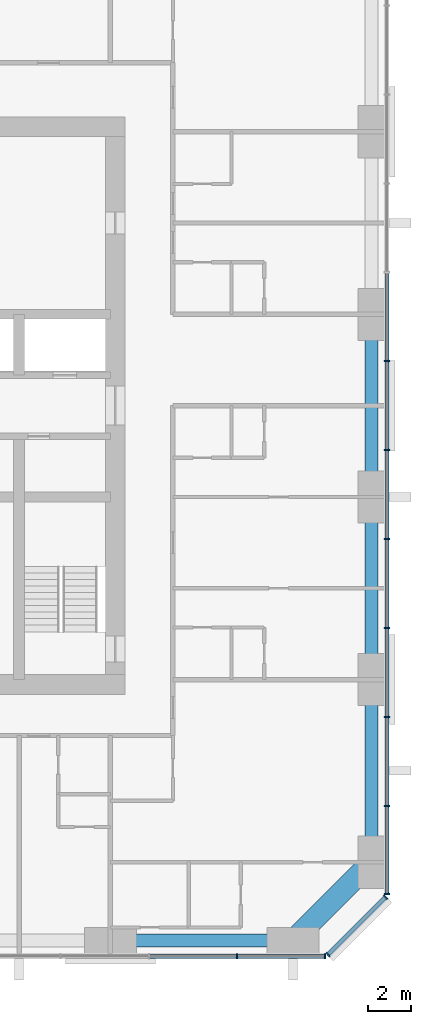
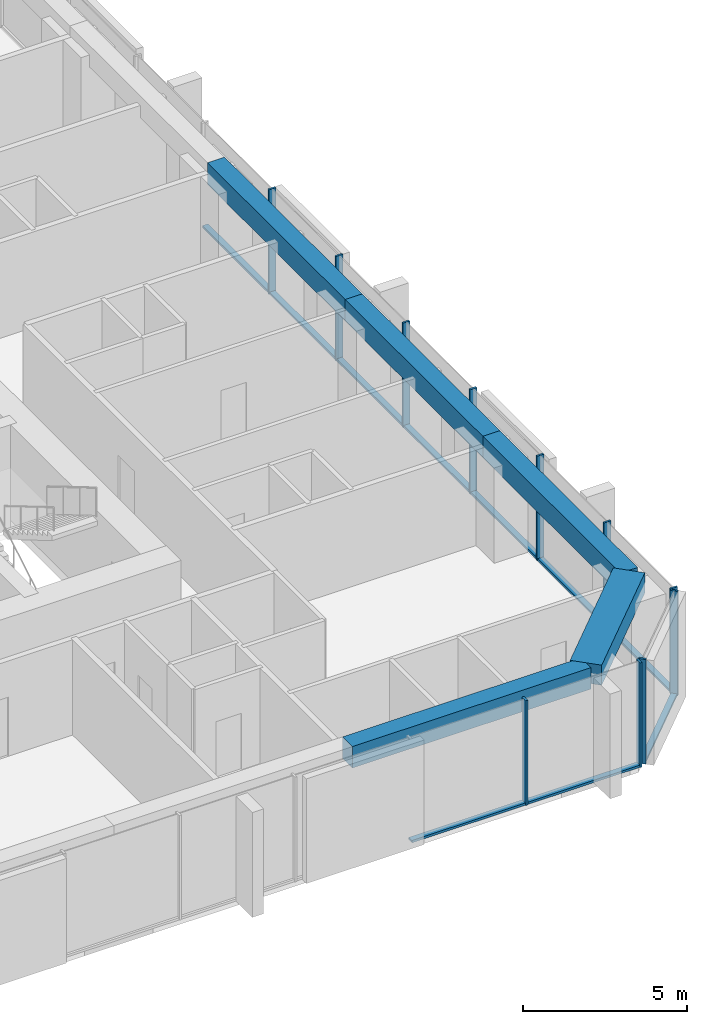
# One storey, part 3 of 12: 21 members, 5 beams, 3 elements without a shape of their own.
"""IFC4 building model written with IfcOpenShell, lengths in metres."""

from ifc_helpers import new_model, si_unit, direction, frame, origin, origin_2d, place, context, subcontext, project, spatial, rectangle, extrude, material, material_profile, profile_set, type_object, element, aggregate, save


model = new_model("IFC4")

# Units and contexts
model_context = context("Model", 3, precision=1e-05, world=origin(), true_north=direction((0.0, 1.0)))
body_context = subcontext(model_context, "Body", "Model", "MODEL_VIEW")
ifc_project = project(units=[si_unit("LENGTHUNIT", "METRE"), si_unit("AREAUNIT", "SQUARE_METRE"), si_unit("VOLUMEUNIT", "CUBIC_METRE"), si_unit("PLANEANGLEUNIT", "RADIAN"), si_unit("MASSUNIT", "GRAM", prefix="KILO")], contexts=[model_context])

# Site, building, storey
site_placement = place(None, origin())
site = spatial("IfcSite", under=ifc_project, at=site_placement, CompositionType="ELEMENT")
building_placement = place(site_placement, origin())
building = spatial("IfcBuilding", under=site, at=building_placement, Name="Dunama Terrace Hotel", CompositionType="ELEMENT")
storey_placement = place(building_placement, frame((0.0, 0.0, 233.39990234375)))
storey = spatial("IfcBuildingStorey", under=building, at=storey_placement, Name="L60", CompositionType="ELEMENT", Elevation=233.39990234375)

# Curtain wall, members
ifc_material_1 = material(Name="Aluminium curtain wall system", Category="aluminium")
curtain_wall_type = type_object("IfcCurtainWallType", Name="Unitised fritted glass wall CW-D", PredefinedType="NOTDEFINED", material=ifc_material_1)
curtain_wall_1_placement = place(storey_placement, origin())
curtain_wall_1 = element("IfcCurtainWall", 1, at=curtain_wall_1_placement, inside=storey, type_object=curtain_wall_type, Name="Unitised fritted glass wall CW-D L60", PredefinedType="NOTDEFINED")
ifc_material_2 = material(Name="Aluminium mullion", Category="aluminium")
ifc_material_profile_1 = material_profile(ifc_material_2, rectangle(XDim=0.070068359375, YDim=0.239990234375, at=origin_2d()), Name="CWD MULLION 70X240")
ifc_profile_set_1 = profile_set([ifc_material_profile_1], Name="Aluminium mullion")
member_type_1 = type_object("IfcMemberType", Name="CWD mullion 70x240", PredefinedType="MULLION", material=ifc_profile_set_1)
member_1_placement = place(storey_placement, frame((47.8330078125, 4.080078125, 0.0), z_axis=(0.0, 0.0, 1.0), x_axis=(1.0, 0.0, 0.0)))
member_1 = element("IfcMember", 2, at=member_1_placement, type_object=member_type_1, Name="CWD mullion", PredefinedType="MULLION", context=body_context, shape_type="SweptSolid", body=[
    extrude(rectangle(XDim=0.070068359375, YDim=0.239990234375, at=origin_2d()), origin(), (0.0, 0.0, 1.0), 3.900146484375),
])
member_2_placement = place(storey_placement, frame((51.864990234375, 4.080078125, 0.0), z_axis=(0.0, 0.0, 1.0), x_axis=(1.0, 0.0, 0.0)))
member_2 = element("IfcMember", 3, at=member_2_placement, type_object=member_type_1, Name="CWD mullion", PredefinedType="MULLION", context=body_context, shape_type="SweptSolid", body=[
    extrude(rectangle(XDim=0.070068359375, YDim=0.239990234375, at=origin_2d()), origin(), (0.0, 0.0, 1.0), 3.900146484375),
])

curtain_wall_2_placement = place(storey_placement, origin())
curtain_wall_2 = element("IfcCurtainWall", 4, at=curtain_wall_2_placement, inside=storey, type_object=curtain_wall_type, Name="Unitised fritted glass wall CW-D L60", PredefinedType="NOTDEFINED")
member_3_placement = place(storey_placement, frame((52.010009765625, 4.139892578125, 0.0), z_axis=(0.0, 0.0, 1.0), x_axis=(0.707106781187, 0.707106781187, 0.0)))
member_3 = element("IfcMember", 5, at=member_3_placement, type_object=member_type_1, Name="CWD mullion", PredefinedType="MULLION", context=body_context, shape_type="SweptSolid", body=[
    extrude(rectangle(XDim=0.070068359375, YDim=0.239990234375, at=origin_2d()), origin(), (0.0, 0.0, 1.0), 3.900146484375),
])
member_4_placement = place(storey_placement, frame((54.659912109375, 6.7900390625, 0.0), z_axis=(0.0, 0.0, 1.0), x_axis=(0.707106781187, 0.707106781187, 0.0)))
member_4 = element("IfcMember", 6, at=member_4_placement, type_object=member_type_1, Name="CWD mullion", PredefinedType="MULLION", context=body_context, shape_type="SweptSolid", body=[
    extrude(rectangle(XDim=0.070068359375, YDim=0.239990234375, at=origin_2d()), origin(), (0.0, 0.0, 1.0), 3.900146484375),
])

curtain_wall_3_placement = place(storey_placement, origin())
curtain_wall_3 = element("IfcCurtainWall", 7, at=curtain_wall_3_placement, inside=storey, type_object=curtain_wall_type, Name="Unitised fritted glass wall CW-D L60", PredefinedType="NOTDEFINED")
member_5_placement = place(storey_placement, frame((54.719970703125, 6.93505859375, 0.0), z_axis=(0.0, 0.0, 1.0), x_axis=(0.0, 1.0, 0.0)))
member_5 = element("IfcMember", 8, at=member_5_placement, type_object=member_type_1, Name="CWD mullion", PredefinedType="MULLION", context=body_context, shape_type="SweptSolid", body=[
    extrude(rectangle(XDim=0.070068359375, YDim=0.239990234375, at=origin_2d()), origin(), (0.0, 0.0, 1.0), 3.900146484375),
])
member_6_placement = place(storey_placement, frame((54.719970703125, 10.990966796875, 0.0), z_axis=(0.0, 0.0, 1.0), x_axis=(0.0, 1.0, 0.0)))
member_6 = element("IfcMember", 9, at=member_6_placement, type_object=member_type_1, Name="CWD mullion", PredefinedType="MULLION", context=body_context, shape_type="SweptSolid", body=[
    extrude(rectangle(XDim=0.070068359375, YDim=0.239990234375, at=origin_2d()), origin(), (0.0, 0.0, 1.0), 3.900146484375),
])
member_7_placement = place(storey_placement, frame((54.719970703125, 15.08203125, 0.0), z_axis=(0.0, 0.0, 1.0), x_axis=(0.0, 1.0, 0.0)))
member_7 = element("IfcMember", 10, at=member_7_placement, type_object=member_type_1, Name="CWD mullion", PredefinedType="MULLION", context=body_context, shape_type="SweptSolid", body=[
    extrude(rectangle(XDim=0.070068359375, YDim=0.239990234375, at=origin_2d()), origin(), (0.0, 0.0, 1.0), 3.900146484375),
])
member_8_placement = place(storey_placement, frame((54.719970703125, 19.173095703125, 0.0), z_axis=(0.0, 0.0, 1.0), x_axis=(0.0, 1.0, 0.0)))
member_8 = element("IfcMember", 11, at=member_8_placement, type_object=member_type_1, Name="CWD mullion", PredefinedType="MULLION", context=body_context, shape_type="SweptSolid", body=[
    extrude(rectangle(XDim=0.070068359375, YDim=0.239990234375, at=origin_2d()), origin(), (0.0, 0.0, 1.0), 3.900146484375),
])
member_9_placement = place(storey_placement, frame((54.719970703125, 23.263916015625, 0.0), z_axis=(0.0, 0.0, 1.0), x_axis=(0.0, 1.0, 0.0)))
member_9 = element("IfcMember", 12, at=member_9_placement, type_object=member_type_1, Name="CWD mullion", PredefinedType="MULLION", context=body_context, shape_type="SweptSolid", body=[
    extrude(rectangle(XDim=0.070068359375, YDim=0.239990234375, at=origin_2d()), origin(), (0.0, 0.0, 1.0), 3.900146484375),
])
member_10_placement = place(storey_placement, frame((54.719970703125, 27.35498046875, 0.0), z_axis=(0.0, 0.0, 1.0), x_axis=(0.0, 1.0, 0.0)))
member_10 = element("IfcMember", 13, at=member_10_placement, type_object=member_type_1, Name="CWD mullion", PredefinedType="MULLION", context=body_context, shape_type="SweptSolid", body=[
    extrude(rectangle(XDim=0.070068359375, YDim=0.239990234375, at=origin_2d()), origin(), (0.0, 0.0, 1.0), 3.900146484375),
])
member_11_placement = place(storey_placement, frame((54.719970703125, 31.445068359375, 0.0), z_axis=(0.0, 0.0, 1.0), x_axis=(0.0, 1.0, 0.0)))
member_11 = element("IfcMember", 14, at=member_11_placement, type_object=member_type_1, Name="CWD mullion", PredefinedType="MULLION", context=body_context, shape_type="SweptSolid", body=[
    extrude(rectangle(XDim=0.070068359375, YDim=0.239990234375, at=origin_2d()), origin(), (0.0, 0.0, 1.0), 3.900146484375),
])

# Member
ifc_material_3 = material(Name="Aluminium transom", Category="aluminium")
ifc_material_profile_2 = material_profile(ifc_material_3, rectangle(XDim=0.199951171875, YDim=0.0849609375, at=origin_2d()), Name="CWD TRANSOM 200X85")
ifc_profile_set_2 = profile_set([ifc_material_profile_2], Name="Aluminium transom")
member_type_2 = type_object("IfcMemberType", Name="CWD transom 200x85", PredefinedType="USERDEFINED", material=ifc_profile_set_2)
member_12_placement = place(storey_placement, frame((43.802001953125, 4.080078125, 0.04248046875), z_axis=(1.0, 0.0, 0.0), x_axis=(0.0, 1.0, 0.0)))
member_12 = element("IfcMember", 15, at=member_12_placement, type_object=member_type_2, Name="CWD transom", ObjectType="TRANSOM", PredefinedType="USERDEFINED", context=body_context, shape_type="SweptSolid", body=[
    extrude(rectangle(XDim=0.199951171875, YDim=0.0849609375, at=origin_2d()), origin(), (0.0, 0.0, 1.0), 3.99609375),
])

member_13_placement = place(storey_placement, frame((47.867919921875, 4.080078125, 0.04248046875), z_axis=(1.0, 0.0, 0.0), x_axis=(0.0, 1.0, 0.0)))
member_13 = element("IfcMember", 16, at=member_13_placement, type_object=member_type_2, Name="CWD transom", ObjectType="TRANSOM", PredefinedType="USERDEFINED", context=body_context, shape_type="SweptSolid", body=[
    extrude(rectangle(XDim=0.199951171875, YDim=0.0849609375, at=origin_2d()), origin(), (0.0, 0.0, 1.0), 3.962158203125),
])

aggregate(curtain_wall_1, [member_1, member_2, member_12, member_13])

member_14_placement = place(storey_placement, frame((52.033935546875, 4.1650390625, 0.04248046875), z_axis=(0.707106781187, 0.707106781187, 0.0), x_axis=(-0.707106781187, 0.707106781187, 0.0)))
member_14 = element("IfcMember", 17, at=member_14_placement, type_object=member_type_2, Name="CWD transom", ObjectType="TRANSOM", PredefinedType="USERDEFINED", context=body_context, shape_type="SweptSolid", body=[
    extrude(rectangle(XDim=0.199951171875, YDim=0.0849609375, at=origin_2d()), origin(), (0.0, 0.0, 1.0), 3.678466796875),
])

aggregate(curtain_wall_2, [member_3, member_4, member_14])

member_15_placement = place(storey_placement, frame((54.719970703125, 6.969970703125, 0.04248046875), z_axis=(0.0, 1.0, 0.0), x_axis=(-1.0, 0.0, 0.0)))
member_15 = element("IfcMember", 18, at=member_15_placement, type_object=member_type_2, Name="CWD transom", ObjectType="TRANSOM", PredefinedType="USERDEFINED", context=body_context, shape_type="SweptSolid", body=[
    extrude(rectangle(XDim=0.199951171875, YDim=0.0849609375, at=origin_2d()), origin(), (0.0, 0.0, 1.0), 3.986083984375),
])

member_16_placement = place(storey_placement, frame((54.719970703125, 11.02587890625, 0.04248046875), z_axis=(0.0, 1.0, 0.0), x_axis=(-1.0, 0.0, 0.0)))
member_16 = element("IfcMember", 19, at=member_16_placement, type_object=member_type_2, Name="CWD transom", ObjectType="TRANSOM", PredefinedType="USERDEFINED", context=body_context, shape_type="SweptSolid", body=[
    extrude(rectangle(XDim=0.199951171875, YDim=0.0849609375, at=origin_2d()), origin(), (0.0, 0.0, 1.0), 4.021240234375),
])

member_17_placement = place(storey_placement, frame((54.719970703125, 15.116943359375, 0.04248046875), z_axis=(0.0, 1.0, 0.0), x_axis=(-1.0, 0.0, 0.0)))
member_17 = element("IfcMember", 20, at=member_17_placement, type_object=member_type_2, Name="CWD transom", ObjectType="TRANSOM", PredefinedType="USERDEFINED", context=body_context, shape_type="SweptSolid", body=[
    extrude(rectangle(XDim=0.199951171875, YDim=0.0849609375, at=origin_2d()), origin(), (0.0, 0.0, 1.0), 4.02099609375),
])

member_18_placement = place(storey_placement, frame((54.719970703125, 19.2080078125, 0.04248046875), z_axis=(0.0, 1.0, 0.0), x_axis=(-1.0, 0.0, 0.0)))
member_18 = element("IfcMember", 21, at=member_18_placement, type_object=member_type_2, Name="CWD transom", ObjectType="TRANSOM", PredefinedType="USERDEFINED", context=body_context, shape_type="SweptSolid", body=[
    extrude(rectangle(XDim=0.199951171875, YDim=0.0849609375, at=origin_2d()), origin(), (0.0, 0.0, 1.0), 4.02099609375),
])

member_19_placement = place(storey_placement, frame((54.719970703125, 23.299072265625, 0.04248046875), z_axis=(0.0, 1.0, 0.0), x_axis=(-1.0, 0.0, 0.0)))
member_19 = element("IfcMember", 22, at=member_19_placement, type_object=member_type_2, Name="CWD transom", ObjectType="TRANSOM", PredefinedType="USERDEFINED", context=body_context, shape_type="SweptSolid", body=[
    extrude(rectangle(XDim=0.199951171875, YDim=0.0849609375, at=origin_2d()), origin(), (0.0, 0.0, 1.0), 4.02099609375),
])

member_20_placement = place(storey_placement, frame((54.719970703125, 27.389892578125, 0.04248046875), z_axis=(0.0, 1.0, 0.0), x_axis=(-1.0, 0.0, 0.0)))
member_20 = element("IfcMember", 23, at=member_20_placement, type_object=member_type_2, Name="CWD transom", ObjectType="TRANSOM", PredefinedType="USERDEFINED", context=body_context, shape_type="SweptSolid", body=[
    extrude(rectangle(XDim=0.199951171875, YDim=0.0849609375, at=origin_2d()), origin(), (0.0, 0.0, 1.0), 4.02001953125),
])

member_21_placement = place(storey_placement, frame((54.719970703125, 31.47998046875, 0.04248046875), z_axis=(0.0, 1.0, 0.0), x_axis=(-1.0, 0.0, 0.0)))
member_21 = element("IfcMember", 24, at=member_21_placement, type_object=member_type_2, Name="CWD transom", ObjectType="TRANSOM", PredefinedType="USERDEFINED", context=body_context, shape_type="SweptSolid", body=[
    extrude(rectangle(XDim=0.199951171875, YDim=0.0849609375, at=origin_2d()), origin(), (0.0, 0.0, 1.0), 4.02099609375),
])

aggregate(curtain_wall_3, [member_5, member_6, member_7, member_8, member_9, member_10, member_11, member_15, member_16, member_17, member_18, member_19, member_20, member_21])

# Beams
ifc_material_4 = material(Name="Concrete C50/60", Category="concrete")
ifc_material_profile_3 = material_profile(ifc_material_4, rectangle(XDim=1.0, YDim=0.75, at=origin_2d()), Name="RC 1000x750")
ifc_profile_set_3 = profile_set([ifc_material_profile_3], Name="Concrete C50/60")
beam_type_1 = type_object("IfcBeamType", Name="Edge beam RC 1000x750", PredefinedType="SPANDREL", material=ifc_profile_set_3)
beam_1_placement = place(storey_placement, frame((50.39990234375, 4.800048828125, 3.525146484375), z_axis=(0.707130757816, 0.707082803744, 0.0), x_axis=(-0.707082803744, 0.707130757816, 0.0)))
element("IfcBeam", 25, at=beam_1_placement, inside=storey, type_object=beam_type_1, Name="Corner edge beam under L61", PredefinedType="SPANDREL", context=body_context, shape_type="SweptSolid", body=[
    extrude(rectangle(XDim=1.0, YDim=0.75, at=origin_2d()), origin(), (0.0, 0.0, 1.0), 5.091064453125),
])
ifc_material_5 = material(Name="Concrete C40/50", Category="concrete")
ifc_material_profile_4 = material_profile(ifc_material_5, rectangle(XDim=0.60009765625, YDim=0.800048828125, at=origin_2d()), Name="RC 600x800")
ifc_profile_set_4 = profile_set([ifc_material_profile_4], Name="Concrete C40/50")
beam_type_2 = type_object("IfcBeamType", Name="Edge beam RC 600x800", PredefinedType="SPANDREL", material=ifc_profile_set_4)
beam_2_placement = place(storey_placement, frame((54.0, 8.39990234375, 3.5), z_axis=(0.0, 1.0, 0.0), x_axis=(-1.0, 0.0, 0.0)))
element("IfcBeam", 26, at=beam_2_placement, inside=storey, type_object=beam_type_2, Name="Edge beam under L61", PredefinedType="SPANDREL", context=body_context, shape_type="SweptSolid", body=[
    extrude(rectangle(XDim=0.60009765625, YDim=0.800048828125, at=origin_2d()), origin(), (0.0, 0.0, 1.0), 8.400146484375),
])
beam_3_placement = place(storey_placement, frame((54.0, 16.800048828125, 3.5), z_axis=(0.0, 1.0, 0.0), x_axis=(-1.0, 0.0, 0.0)))
element("IfcBeam", 27, at=beam_3_placement, inside=storey, type_object=beam_type_2, Name="Edge beam under L61", PredefinedType="SPANDREL", context=body_context, shape_type="SweptSolid", body=[
    extrude(rectangle(XDim=0.60009765625, YDim=0.800048828125, at=origin_2d()), origin(), (0.0, 0.0, 1.0), 8.39990234375),
])
beam_4_placement = place(storey_placement, frame((54.0, 25.199951171875, 3.5), z_axis=(0.0, 1.0, 0.0), x_axis=(-1.0, 0.0, 0.0)))
element("IfcBeam", 28, at=beam_4_placement, inside=storey, type_object=beam_type_2, Name="Edge beam under L61", PredefinedType="SPANDREL", context=body_context, shape_type="SweptSolid", body=[
    extrude(rectangle(XDim=0.60009765625, YDim=0.800048828125, at=origin_2d()), origin(), (0.0, 0.0, 1.0), 8.400146484375),
])
beam_5_placement = place(storey_placement, frame((42.0, 4.800048828125, 3.5), z_axis=(1.0, 0.0, 0.0), x_axis=(0.0, 1.0, 0.0)))
element("IfcBeam", 29, at=beam_5_placement, inside=storey, type_object=beam_type_2, Name="Edge beam under L61", PredefinedType="SPANDREL", context=body_context, shape_type="SweptSolid", body=[
    extrude(rectangle(XDim=0.60009765625, YDim=0.800048828125, at=origin_2d()), origin(), (0.0, 0.0, 1.0), 8.39990234375),
])

save(model, "model.ifc")
